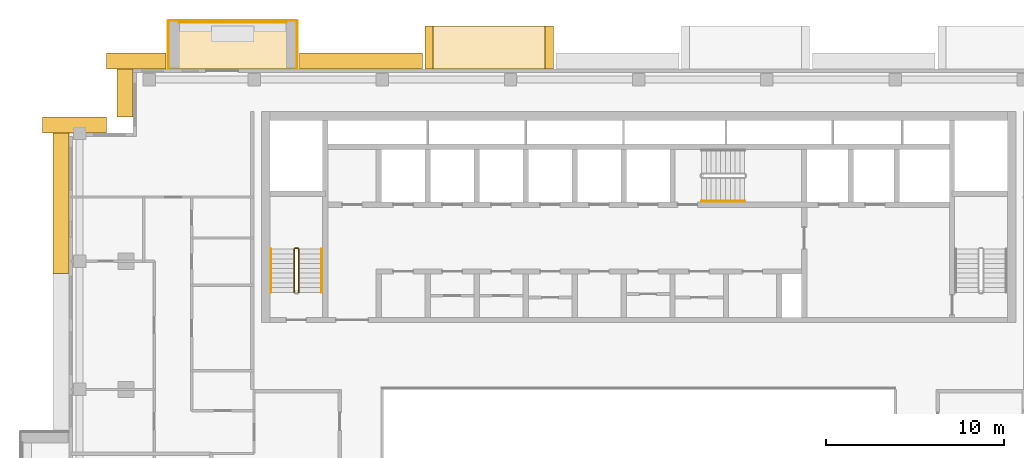
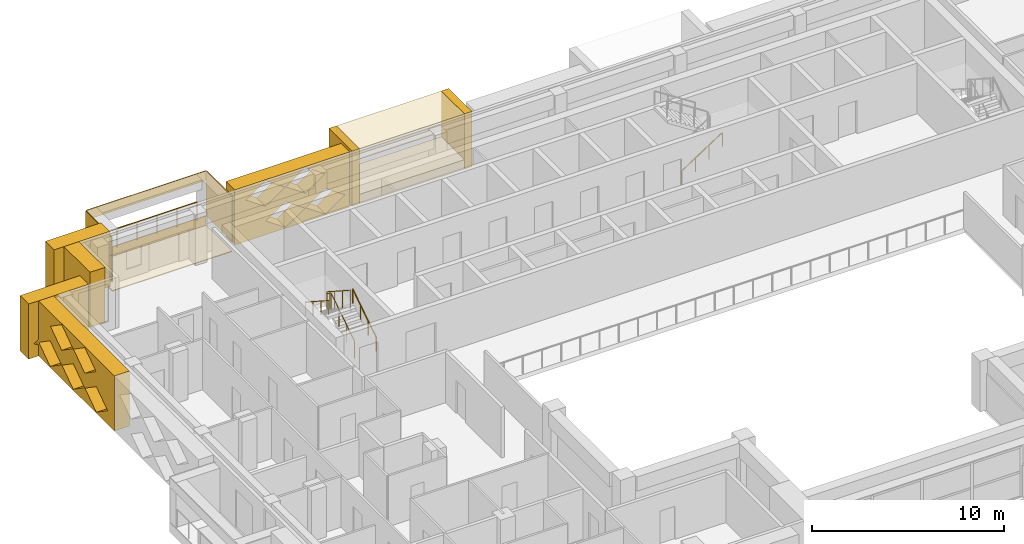
# One storey, part 17 of 19: 14 coverings, 5 railings.
"""IFC4 building model written with IfcOpenShell, lengths in metres."""

from ifc_helpers import new_model, si_unit, direction, frame, origin, origin_2d, place, context, subcontext, project, spatial, polyline, circle, outline, extrude, material, layer, layer_set, type_object, element, save


model = new_model("IFC4")

# Units and contexts
model_context = context("Model", 3, precision=1e-05, world=origin(), true_north=direction((0.0, 1.0)))
body_context = subcontext(model_context, "Body", "Model", "MODEL_VIEW")
ifc_project = project(units=[si_unit("LENGTHUNIT", "METRE"), si_unit("AREAUNIT", "SQUARE_METRE"), si_unit("VOLUMEUNIT", "CUBIC_METRE"), si_unit("PLANEANGLEUNIT", "RADIAN"), si_unit("MASSUNIT", "GRAM", prefix="KILO")], contexts=[model_context])

# Site, building, storey
site_placement = place(None, origin())
site = spatial("IfcSite", under=ifc_project, at=site_placement, CompositionType="ELEMENT")
building_placement = place(site_placement, origin())
building = spatial("IfcBuilding", under=site, at=building_placement, Name="Saffron Iwan Residences", CompositionType="ELEMENT")
storey_placement = place(building_placement, frame((0.0, 0.0, 218.5)))
storey = spatial("IfcBuildingStorey", under=building, at=storey_placement, Name="L58", CompositionType="ELEMENT", Elevation=218.5)

# Railing
ifc_material_1 = material(Name="Stainless steel 316", Category="steel")
railing_type_1 = type_object("IfcRailingType", Name="BALCONY GUARD 1150", PredefinedType="GUARDRAIL", material=ifc_material_1)
railing_1_placement = place(storey_placement, frame((30.60009765625, 83.02490234375, 0.0)))
element("IfcRailing", 1, at=railing_1_placement, inside=storey, type_object=railing_type_1, Name="Balcony guard L58 F5-3", PredefinedType="GUARDRAIL", context=body_context, shape_type="SweptSolid", body=[
    extrude(circle(Radius=0.02392578125, at=origin_2d()), frame((0.0, 0.0, 1.1259765625), z_axis=(-1.0, 0.0, 0.0), x_axis=(0.0, -1.0, 0.0)), (0.0, 0.0, 1.0), 6.0),
    extrude(circle(Radius=0.02099609375, at=origin_2d()), origin(), (0.0, 0.0, 1.0), 1.101806640625),
    extrude(circle(Radius=0.02099609375, at=origin_2d()), frame((-1.199951171875, 0.0, 0.0)), (0.0, 0.0, 1.0), 1.101806640625),
    extrude(circle(Radius=0.02099609375, at=origin_2d()), frame((-2.39990234375, 0.0, 0.0)), (0.0, 0.0, 1.0), 1.101806640625),
    extrude(circle(Radius=0.02099609375, at=origin_2d()), frame((-3.60009765625, 0.0, 0.0)), (0.0, 0.0, 1.0), 1.101806640625),
    extrude(circle(Radius=0.02099609375, at=origin_2d()), frame((-4.800048828125, 0.0, 0.0)), (0.0, 0.0, 1.0), 1.101806640625),
    extrude(circle(Radius=0.02099609375, at=origin_2d()), frame((-6.0, 0.0, 0.0)), (0.0, 0.0, 1.0), 1.101806640625),
])

# Coverings
ifc_material_2 = material(Name="Precast concrete C40/50 white painted", Category="concrete")
ifc_layer = layer(ifc_material_2, 0.050048828125)
ifc_layer_set = layer_set([ifc_layer], Name="Precast concrete C40/50 white painted")
covering_type_1 = type_object("IfcCoveringType", Name="FRAME SKIN PRECAST WHITE 50", PredefinedType="CLADDING", material=ifc_layer_set)
for number, where, name in (
    (2, (0.0, 0.0, -0.60009765625), "Frame skin slab edge L58 F5-3"),
    (3, (0.0, 0.0, 2.25), "Frame skin fascia L58 F5-3"),
):
    element("IfcCovering", number, at=place(storey_placement, frame(where)), inside=storey, type_object=covering_type_1, Name=name, PredefinedType="CLADDING", context=body_context, shape_type="SweptSolid", body=[
        extrude(outline(polyline([(31.199951171875, 83.14990234375), (24.0, 83.14990234375), (24.0, 83.10009765625), (31.199951171875, 83.10009765625), (31.199951171875, 83.14990234375)])), origin(), (0.0, 0.0, 1.0), 0.60009765625),
    ])
covering_1_placement = place(storey_placement, frame((0.0, 0.0, -0.64990234375)))
element("IfcCovering", 4, at=covering_1_placement, inside=storey, type_object=covering_type_1, Name="Frame skin soffit L58 F5-3", PredefinedType="CLADDING", context=body_context, shape_type="SweptSolid", body=[
    extrude(outline(polyline([(31.199951171875, 83.10009765625), (24.0, 83.10009765625), (24.0, 80.39990234375), (31.199951171875, 80.39990234375), (31.199951171875, 83.10009765625)])), origin(), (0.0, 0.0, 1.0), 0.0498046875),
])
covering_2_placement = place(storey_placement, origin())
element("IfcCovering", 5, at=covering_2_placement, inside=storey, type_object=covering_type_1, Name="Frame skin fin L58 F5-3a", PredefinedType="CLADDING", context=body_context, shape_type="SweptSolid", body=[
    extrude(outline(polyline([(31.25, 83.10009765625), (31.199951171875, 83.10009765625), (31.199951171875, 80.39990234375), (31.25, 80.39990234375), (31.25, 83.10009765625)])), origin(), (0.0, 0.0, 1.0), 2.85009765625),
])
covering_3_placement = place(storey_placement, origin())
element("IfcCovering", 6, at=covering_3_placement, inside=storey, type_object=covering_type_1, Name="Frame skin fin L58 F5-3b", PredefinedType="CLADDING", context=body_context, shape_type="SweptSolid", body=[
    extrude(outline(polyline([(24.0, 83.10009765625), (23.949951171875, 83.10009765625), (23.949951171875, 80.39990234375), (24.0, 80.39990234375), (24.0, 83.10009765625)])), origin(), (0.0, 0.0, 1.0), 2.85009765625),
])
ifc_material_3 = material(Name="Precast concrete C40/50", Category="concrete")
covering_type_2 = type_object("IfcCoveringType", Name="OUTER SKIN LATTICE SCREEN", PredefinedType="CLADDING", material=ifc_material_3)
covering_4_placement = place(storey_placement, frame((38.25, 80.39990234375, -0.280029296875), z_axis=(0.0, 1.0, 0.0), x_axis=(-1.0, 0.0, 0.0)))
element("IfcCovering", 7, at=covering_4_placement, inside=storey, type_object=covering_type_2, Name="OUTER SKIN lattice screen L58 F5.3", PredefinedType="CLADDING", context=body_context, shape_type="SweptSolid", body=[
    extrude(outline(polyline([(0.0, 0.0), (6.89990234375, 0.0), (6.89990234375, 3.5), (0.0, 3.5), (0.0, 0.0)]), holes=[polyline([(0.27001953125, 0.875), (1.449951171875, 0.06005859375), (2.6298828125, 0.875), (1.449951171875, 1.68994140625), (0.27001953125, 0.875)]), polyline([(2.669921875, 0.875), (3.85009765625, 0.06005859375), (5.030029296875, 0.875), (3.85009765625, 1.68994140625), (2.669921875, 0.875)]), polyline([(1.469970703125, 2.625), (2.64990234375, 1.81005859375), (3.830078125, 2.625), (2.64990234375, 3.43994140625), (1.469970703125, 2.625)]), polyline([(3.8701171875, 2.625), (5.050048828125, 1.81005859375), (6.22998046875, 2.625), (5.050048828125, 3.43994140625), (3.8701171875, 2.625)])]), origin(), (0.0, 0.0, 1.0), 0.900146484375),
])
covering_5_placement = place(storey_placement, frame((23.85009765625, 80.39990234375, -0.280029296875), z_axis=(0.0, 1.0, 0.0), x_axis=(-1.0, 0.0, 0.0)))
element("IfcCovering", 8, at=covering_5_placement, inside=storey, type_object=covering_type_2, Name="OUTER SKIN lattice screen L58 F5.4", PredefinedType="CLADDING", context=body_context, shape_type="SweptSolid", body=[
    extrude(outline(polyline([(0.0, 0.0), (3.35009765625, 0.0), (3.35009765625, 3.5), (0.0, 3.5), (0.0, 0.0)]), holes=[polyline([(0.27001953125, 0.875), (1.449951171875, 0.06005859375), (2.6298828125, 0.875), (1.449951171875, 1.68994140625), (0.27001953125, 0.875)])]), origin(), (0.0, 0.0, 1.0), 0.900146484375),
])
for number, where, z_axis, x_axis, name in (
    (9, (22.0, 81.300048828125, -0.280029296875), (-1.0, 0.0, 0.0), (0.0, -1.0, 0.0), "OUTER SKIN lattice screen L58 F6.0"),
    (10, (20.5, 76.800048828125, -0.280029296875), (0.0, 1.0, 0.0), (-1.0, 0.0, 0.0), "OUTER SKIN lattice screen L58 F7.0"),
):
    element("IfcCovering", number, at=place(storey_placement, frame(where, z_axis=z_axis, x_axis=x_axis)), inside=storey, type_object=covering_type_2, Name=name, PredefinedType="CLADDING", context=body_context, shape_type="SweptSolid", body=[
        extrude(outline(polyline([(0.0, 0.0), (3.60009765625, 0.0), (3.60009765625, 3.5), (0.0, 3.5), (0.0, 0.0)]), holes=[polyline([(0.919921875, 0.875), (2.10009765625, 0.06005859375), (3.280029296875, 0.875), (2.10009765625, 1.68994140625), (0.919921875, 0.875)])]), origin(), (0.0, 0.0, 1.0), 0.89990234375),
    ])
covering_6_placement = place(storey_placement, frame((18.39990234375, 77.699951171875, -0.280029296875), z_axis=(-1.0, 0.0, 0.0), x_axis=(0.0, -1.0, 0.0)))
element("IfcCovering", 11, at=covering_6_placement, inside=storey, type_object=covering_type_2, Name="OUTER SKIN lattice screen L58 F8.0", PredefinedType="CLADDING", context=body_context, shape_type="SweptSolid", body=[
    extrude(outline(polyline([(0.0, 0.0), (8.77490234375, 0.0), (8.77490234375, 3.5), (0.0, 3.5), (0.0, 0.0)]), holes=[polyline([(0.919921875, 0.875), (2.10009765625, 0.06005859375), (3.280029296875, 0.875), (2.10009765625, 1.68994140625), (0.919921875, 0.875)]), polyline([(3.320068359375, 0.875), (4.5, 0.06005859375), (5.679931640625, 0.875), (4.5, 1.68994140625), (3.320068359375, 0.875)]), polyline([(5.719970703125, 0.875), (6.89990234375, 0.06005859375), (8.080078125, 0.875), (6.89990234375, 1.68994140625), (5.719970703125, 0.875)]), polyline([(2.1201171875, 2.625), (3.300048828125, 1.81005859375), (4.47998046875, 2.625), (3.300048828125, 3.43994140625), (2.1201171875, 2.625)]), polyline([(4.52001953125, 2.625), (5.699951171875, 1.81005859375), (6.8798828125, 2.625), (5.699951171875, 3.43994140625), (4.52001953125, 2.625)])]), origin(), (0.0, 0.0, 1.0), 0.89990234375),
])

# Railings
ifc_material_4 = material(Name="Steel S355", Category="steel")
railing_type_2 = type_object("IfcRailingType", Name="Stair guard 1100", PredefinedType="GUARDRAIL", material=ifc_material_4)
railing_2_placement = place(storey_placement, frame((31.300048828125, 67.85009765625, 0.175048828125)))
element("IfcRailing", 12, at=railing_2_placement, inside=storey, type_object=railing_type_2, Name="L58 ST-W stair guard 1", PredefinedType="GUARDRAIL", context=body_context, shape_type="SweptSolid", body=[
    extrude(circle(Radius=0.02392578125, at=origin_2d()), frame((0.0, 0.0, 1.076171875), z_axis=(0.0, 0.839153699163, 0.543894354798), x_axis=(-1.0, 0.0, 0.0)), (0.0, 0.0, 1.0), 2.895751953125),
    extrude(circle(Radius=0.02392578125, at=origin_2d()), frame((0.0, 2.429931640625, 2.65087890625), z_axis=(-0.707106781187, 0.707106781187, 0.0), x_axis=(-0.707106781187, -0.707106781187, 0.0)), (0.0, 0.0, 1.0), 0.07080078125),
    extrude(circle(Radius=0.02392578125, at=origin_2d()), frame((-0.050048828125, 2.47998046875, 2.65087890625), z_axis=(-1.0, 0.0, 0.0), x_axis=(0.0, -1.0, 0.0)), (0.0, 0.0, 1.0), 0.14990234375),
    extrude(circle(Radius=0.02392578125, at=origin_2d()), frame((-0.199951171875, 2.47998046875, 2.65087890625), z_axis=(-0.265065253269, -0.265065253269, 0.927081885822), x_axis=(0.707106781187, -0.707106781187, 0.0)), (0.0, 0.0, 1.0), 0.188720703125),
    extrude(circle(Radius=0.02392578125, at=origin_2d()), frame((-0.25, 2.429931640625, 2.826171875), z_axis=(0.0, -0.839153699163, 0.543894354798), x_axis=(1.0, 0.0, 0.0)), (0.0, 0.0, 1.0), 2.895751953125),
    extrude(circle(Radius=0.02099609375, at=origin_2d()), origin(), (0.0, 0.0, 1.0), 1.052001953125),
    extrude(circle(Radius=0.02099609375, at=origin_2d()), frame((0.0, 0.81005859375, 0.52490234375)), (0.0, 0.0, 1.0), 1.052001953125),
    extrude(circle(Radius=0.02099609375, at=origin_2d()), frame((0.0, 1.619873046875, 1.050048828125)), (0.0, 0.0, 1.0), 1.052001953125),
    extrude(circle(Radius=0.02099609375, at=origin_2d()), frame((0.0, 2.429931640625, 1.574951171875)), (0.0, 0.0, 1.0), 1.052001953125),
    extrude(circle(Radius=0.02099609375, at=origin_2d()), frame((-0.050048828125, 2.47998046875, 1.574951171875)), (0.0, 0.0, 1.0), 1.052001953125),
    extrude(circle(Radius=0.02099609375, at=origin_2d()), frame((-0.199951171875, 2.47998046875, 1.574951171875)), (0.0, 0.0, 1.0), 1.052001953125),
    extrude(circle(Radius=0.02099609375, at=origin_2d()), frame((-0.25, 2.429931640625, 1.75)), (0.0, 0.0, 1.0), 1.052001953125),
    extrude(circle(Radius=0.02099609375, at=origin_2d()), frame((-0.25, 1.619873046875, 2.27490234375)), (0.0, 0.0, 1.0), 1.052001953125),
    extrude(circle(Radius=0.02099609375, at=origin_2d()), frame((-0.25, 0.81005859375, 2.800048828125)), (0.0, 0.0, 1.0), 1.052001953125),
    extrude(circle(Radius=0.02099609375, at=origin_2d()), frame((-0.25, 0.0, 3.324951171875)), (0.0, 0.0, 1.0), 1.052001953125),
])
railing_type_3 = type_object("IfcRailingType", Name="Stair handrail 900", PredefinedType="HANDRAIL", material=ifc_material_1)
railing_3_placement = place(storey_placement, frame((32.60009765625, 67.85009765625, 0.175048828125)))
element("IfcRailing", 13, at=railing_3_placement, inside=storey, type_object=railing_type_3, Name="L58 ST-W stair handrail 1", PredefinedType="HANDRAIL", context=body_context, shape_type="SweptSolid", body=[
    extrude(circle(Radius=0.02392578125, at=origin_2d()), frame((0.0, 0.0, 0.8759765625), z_axis=(0.0, 0.839153699163, 0.543894354798), x_axis=(-1.0, 0.0, 0.0)), (0.0, 0.0, 1.0), 2.895751953125),
    extrude(circle(Radius=0.02099609375, at=origin_2d()), origin(), (0.0, 0.0, 1.0), 0.851806640625),
    extrude(circle(Radius=0.02099609375, at=origin_2d()), frame((0.0, 0.81005859375, 0.52490234375)), (0.0, 0.0, 1.0), 0.851806640625),
    extrude(circle(Radius=0.02099609375, at=origin_2d()), frame((0.0, 1.619873046875, 1.050048828125)), (0.0, 0.0, 1.0), 0.851806640625),
    extrude(circle(Radius=0.02099609375, at=origin_2d()), frame((0.0, 2.429931640625, 1.574951171875)), (0.0, 0.0, 1.0), 0.851806640625),
])
railing_4_placement = place(storey_placement, frame((29.75, 70.280029296875, 1.925048828125)))
element("IfcRailing", 14, at=railing_4_placement, inside=storey, type_object=railing_type_3, Name="L58 ST-W stair handrail 2", PredefinedType="HANDRAIL", context=body_context, shape_type="SweptSolid", body=[
    extrude(circle(Radius=0.02392578125, at=origin_2d()), frame((0.0, 0.0, 0.8759765625), z_axis=(0.0, -0.839153699163, 0.543894354798), x_axis=(1.0, 0.0, 0.0)), (0.0, 0.0, 1.0), 2.895751953125),
    extrude(circle(Radius=0.02099609375, at=origin_2d()), origin(), (0.0, 0.0, 1.0), 0.851806640625),
    extrude(circle(Radius=0.02099609375, at=origin_2d()), frame((0.0, -0.81005859375, 0.52490234375)), (0.0, 0.0, 1.0), 0.851806640625),
    extrude(circle(Radius=0.02099609375, at=origin_2d()), frame((0.0, -1.619873046875, 1.050048828125)), (0.0, 0.0, 1.0), 0.851806640625),
    extrude(circle(Radius=0.02099609375, at=origin_2d()), frame((0.0, -2.429931640625, 1.574951171875)), (0.0, 0.0, 1.0), 0.851806640625),
])
railing_5_placement = place(storey_placement, frame((53.925048828125, 72.97509765625, 0.175048828125)))
element("IfcRailing", 15, at=railing_5_placement, inside=storey, type_object=railing_type_3, Name="L58 ST-C stair handrail 1", PredefinedType="HANDRAIL", context=body_context, shape_type="SweptSolid", body=[
    extrude(circle(Radius=0.02392578125, at=origin_2d()), frame((0.0, 0.0, 0.8759765625), z_axis=(0.839153699163, 0.0, 0.543894354798), x_axis=(0.0, 1.0, 0.0)), (0.0, 0.0, 1.0), 2.895751953125),
    extrude(circle(Radius=0.02099609375, at=origin_2d()), origin(), (0.0, 0.0, 1.0), 0.851806640625),
    extrude(circle(Radius=0.02099609375, at=origin_2d()), frame((0.81005859375, 0.0, 0.52490234375)), (0.0, 0.0, 1.0), 0.851806640625),
    extrude(circle(Radius=0.02099609375, at=origin_2d()), frame((1.619873046875, 0.0, 1.050048828125)), (0.0, 0.0, 1.0), 0.851806640625),
    extrude(circle(Radius=0.02099609375, at=origin_2d()), frame((2.429931640625, 0.0, 1.574951171875)), (0.0, 0.0, 1.0), 0.851806640625),
])

# Coverings
covering_type_3 = type_object("IfcCoveringType", Name="WHITE SUN FRAME PRECAST", PredefinedType="CLADDING", material=ifc_material_2)
for number, where, z_axis, x_axis, name in (
    (16, (45.60009765625, 80.39990234375, -0.280029296875), (0.0, 1.0, 0.0), (-1.0, 0.0, 0.0), "Sun frame L58 F5 33.2a"),
    (17, (38.85009765625, 80.39990234375, -0.280029296875), (0.0, 1.0, 0.0), (-1.0, 0.0, 0.0), "Sun frame L58 F5 33.2b"),
):
    element("IfcCovering", number, at=place(storey_placement, frame(where, z_axis=z_axis, x_axis=x_axis)), inside=storey, type_object=covering_type_3, Name=name, PredefinedType="CLADDING", context=body_context, shape_type="SweptSolid", body=[
        extrude(outline(polyline([(0.0, 0.0), (0.449951171875, 0.0), (0.449951171875, 3.5), (0.0, 3.5), (0.0, 0.0)])), origin(), (0.0, 0.0, 1.0), 2.400146484375),
    ])
for number, where, z_axis, x_axis, name in (
    (18, (45.14990234375, 80.39990234375, 2.6201171875), (0.0, 1.0, 0.0), (-1.0, 0.0, 0.0), "Sun frame L58 F5 33.2h"),
    (19, (45.14990234375, 80.39990234375, -0.280029296875), (0.0, 1.0, 0.0), (-1.0, 0.0, 0.0), "Sun frame L58 F5 33.2s"),
):
    element("IfcCovering", number, at=place(storey_placement, frame(where, z_axis=z_axis, x_axis=x_axis)), inside=storey, type_object=covering_type_3, Name=name, PredefinedType="CLADDING", context=body_context, shape_type="SweptSolid", body=[
        extrude(outline(polyline([(0.0, 0.0), (6.300048828125, 0.0), (6.300048828125, 0.60009765625), (0.0, 0.60009765625), (0.0, 0.0)])), origin(), (0.0, 0.0, 1.0), 2.400146484375),
    ])

save(model, "model.ifc")
